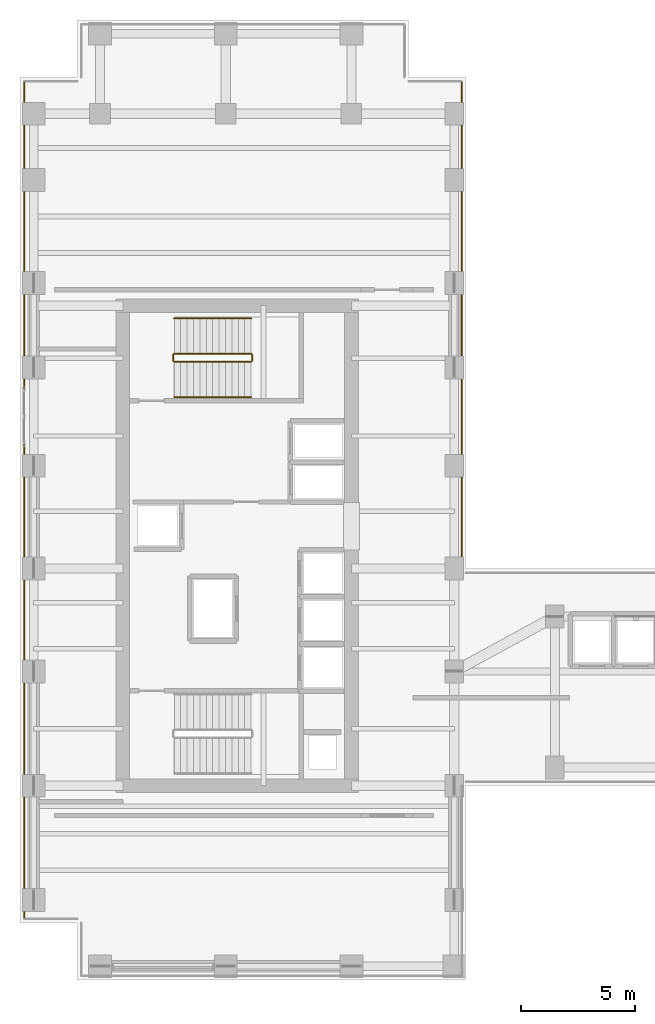
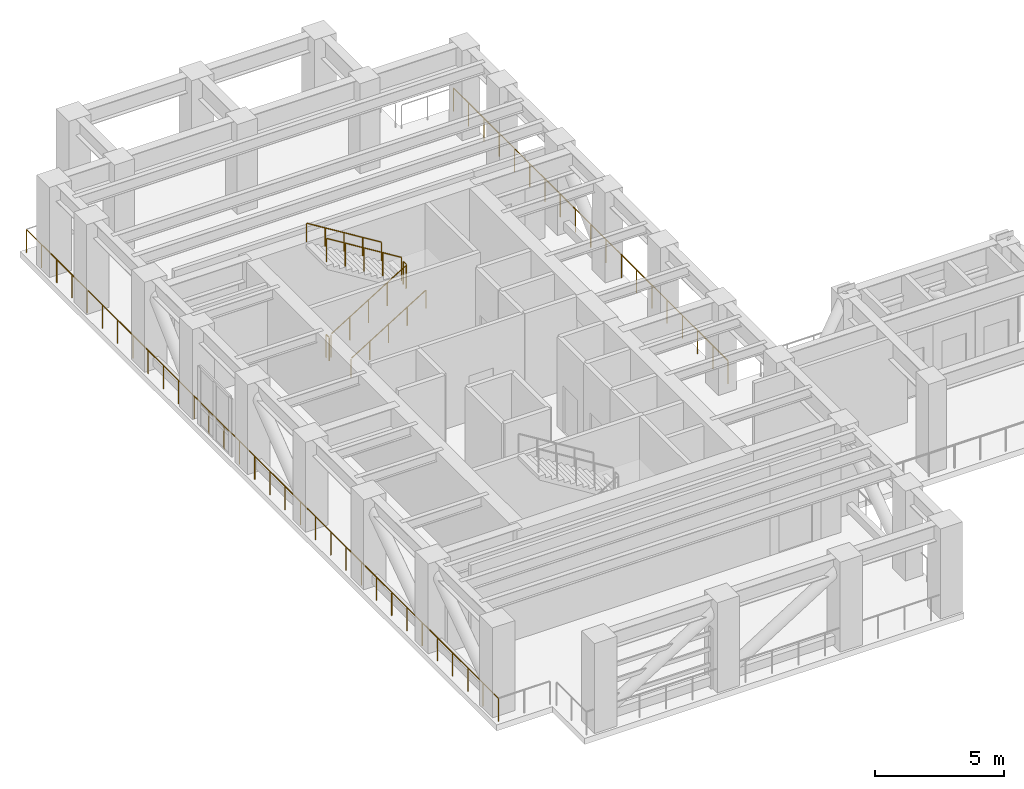
# One storey, part 12 of 14: 8 railings.
"""IFC4 building model written with IfcOpenShell, lengths in metres."""

from ifc_helpers import new_model, si_unit, direction, frame, origin, origin_2d, place, context, subcontext, project, spatial, circle, extrude, source, transform, mapped, material, layer, layer_set, type_object, element, save


model = new_model("IFC4")

# Units and contexts
model_context = context("Model", 3, precision=1e-05, world=origin(), true_north=direction((0.0, 1.0)))
body_context = subcontext(model_context, "Body", "Model", "MODEL_VIEW")
ifc_project = project(units=[si_unit("LENGTHUNIT", "METRE"), si_unit("AREAUNIT", "SQUARE_METRE"), si_unit("VOLUMEUNIT", "CUBIC_METRE"), si_unit("PLANEANGLEUNIT", "RADIAN"), si_unit("MASSUNIT", "GRAM", prefix="KILO")], contexts=[model_context])

# Site, building, storey
site_placement = place(None, origin())
site = spatial("IfcSite", under=ifc_project, at=site_placement, CompositionType="ELEMENT")
building_placement = place(site_placement, origin())
building = spatial("IfcBuilding", under=site, at=building_placement, Name="Kharzan Plaza Tower", CompositionType="ELEMENT")
storey_placement = place(building_placement, frame((0.0, 0.0, 207.89990234375)))
storey = spatial("IfcBuildingStorey", under=building, at=storey_placement, Name="L56", CompositionType="ELEMENT", Elevation=207.89990234375)

# Railings
ifc_material_1 = material(Name="Painted Galvanized Architectural Steel", Category="steel")
ifc_layer_1 = layer(ifc_material_1, 0.074951171875)
ifc_layer_set_1 = layer_set([ifc_layer_1], Name="Painted Galvanized Architectural Steel")
railing_type_1 = type_object("IfcRailingType", Name="RL-GUARD-1120", PredefinedType="BALUSTRADE", material=ifc_layer_set_1)
shared_shape_1 = source(origin(), body_context, "Body", "SweptSolid", [
    extrude(circle(Radius=0.02392578125, at=origin_2d()), frame((0.0224609375, 0.0, 1.10986328125), z_axis=(0.850623216509, 0.0, 0.525775754039), x_axis=(0.0, 1.0, 0.0)), (0.0, 0.0, 1.0), 3.897216796875),
    extrude(circle(Radius=0.02099609375, at=origin_2d()), origin(), (0.0, 0.0, 1.0), 1.072021484375),
    extrude(circle(Radius=0.02099609375, at=origin_2d()), frame((0.840087890625, 0.0, 0.519287109375)), (0.0, 0.0, 1.0), 1.072021484375),
    extrude(circle(Radius=0.02099609375, at=origin_2d()), frame((1.68017578125, 0.0, 1.03857421875)), (0.0, 0.0, 1.0), 1.072021484375),
    extrude(circle(Radius=0.02099609375, at=origin_2d()), frame((2.52001953125, 0.0, 1.5576171875)), (0.0, 0.0, 1.0), 1.072021484375),
    extrude(circle(Radius=0.02099609375, at=origin_2d()), frame((3.360107421875, 0.0, 2.076904296875)), (0.0, 0.0, 1.0), 1.072021484375),
])
railing_1_placement = place(storey_placement, frame((6.75, 27.050048828125, 0.173095703125)))
element("IfcRailing", 1, at=railing_1_placement, inside=storey, type_object=railing_type_1, Name="L56 ST-2 stair guard 1", PredefinedType="BALUSTRADE", context=body_context, shape_type="MappedRepresentation", body=[
    mapped(shared_shape_1, transform((0.0, 0.0, 0.0), x_axis=(1.0, 0.0, 0.0), y_axis=(0.0, 1.0, 0.0), z_axis=(0.0, 0.0, 1.0))),
])
shared_shape_2 = source(origin(), body_context, "Body", "SweptSolid", [
    extrude(circle(Radius=0.02392578125, at=origin_2d()), frame((0.0, 0.0263671875, 1.09619140625), z_axis=(0.0, 1.0, 0.0), x_axis=(-1.0, 0.0, 0.0)), (0.0, 0.0, 1.0), 0.197021484375),
    extrude(circle(Radius=0.02099609375, at=origin_2d()), origin(), (0.0, 0.0, 1.0), 1.072021484375),
    extrude(circle(Radius=0.02099609375, at=origin_2d()), frame((0.0, 0.25, 0.0)), (0.0, 0.0, 1.0), 1.072021484375),
])
for number, where, name in (
    (2, (10.159912109375, 27.10009765625, 2.25), "L56 ST-2 stair guard 2"),
    (3, (6.699951171875, 27.10009765625, 0.0), "L56 ST-2 stair guard 4"),
):
    element("IfcRailing", number, at=place(storey_placement, frame(where)), inside=storey, type_object=railing_type_1, Name=name, PredefinedType="BALUSTRADE", context=body_context, shape_type="MappedRepresentation", body=[
        mapped(shared_shape_2, transform((0.0, 0.0, 0.0), x_axis=(1.0, 0.0, 0.0), y_axis=(0.0, 1.0, 0.0), z_axis=(0.0, 0.0, 1.0))),
    ])
shared_shape_3 = source(origin(), body_context, "Body", "SweptSolid", [
    extrude(circle(Radius=0.02392578125, at=origin_2d()), frame((-0.0224609375, 0.0, 1.10986328125), z_axis=(-0.850623216509, 0.0, 0.525775754039), x_axis=(0.0, -1.0, 0.0)), (0.0, 0.0, 1.0), 3.897216796875),
    extrude(circle(Radius=0.02099609375, at=origin_2d()), origin(), (0.0, 0.0, 1.0), 1.072021484375),
    extrude(circle(Radius=0.02099609375, at=origin_2d()), frame((-0.840087890625, 0.0, 0.519287109375)), (0.0, 0.0, 1.0), 1.072021484375),
    extrude(circle(Radius=0.02099609375, at=origin_2d()), frame((-1.68017578125, 0.0, 1.03857421875)), (0.0, 0.0, 1.0), 1.072021484375),
    extrude(circle(Radius=0.02099609375, at=origin_2d()), frame((-2.52001953125, 0.0, 1.5576171875)), (0.0, 0.0, 1.0), 1.072021484375),
    extrude(circle(Radius=0.02099609375, at=origin_2d()), frame((-3.360107421875, 0.0, 2.076904296875)), (0.0, 0.0, 1.0), 1.072021484375),
])
railing_2_placement = place(storey_placement, frame((10.110107421875, 27.39990234375, 2.423095703125)))
element("IfcRailing", 4, at=railing_2_placement, inside=storey, type_object=railing_type_1, Name="L56 ST-2 stair guard 3", PredefinedType="BALUSTRADE", context=body_context, shape_type="MappedRepresentation", body=[
    mapped(shared_shape_3, transform((0.0, 0.0, 0.0), x_axis=(1.0, 0.0, 0.0), y_axis=(0.0, 1.0, 0.0), z_axis=(0.0, 0.0, 1.0))),
])
ifc_material_2 = material(Name="Brushed Stainless Steel", Category="steel")
ifc_layer_2 = layer(ifc_material_2, 0.050048828125)
ifc_layer_set_2 = layer_set([ifc_layer_2], Name="Brushed Stainless Steel")
railing_type_2 = type_object("IfcRailingType", Name="RL-STAIR-HR920", PredefinedType="HANDRAIL", material=ifc_layer_set_2)
shared_shape_4 = source(origin(), body_context, "Body", "SweptSolid", [
    extrude(circle(Radius=0.02392578125, at=origin_2d()), frame((0.0224609375, 0.0, 0.8896484375), z_axis=(0.850623216509, 0.0, 0.525775754039), x_axis=(0.0, 1.0, 0.0)), (0.0, 0.0, 1.0), 3.897216796875),
    extrude(circle(Radius=0.02099609375, at=origin_2d()), origin(), (0.0, 0.0, 1.0), 0.851806640625),
    extrude(circle(Radius=0.02099609375, at=origin_2d()), frame((0.840087890625, 0.0, 0.519287109375)), (0.0, 0.0, 1.0), 0.851806640625),
    extrude(circle(Radius=0.02099609375, at=origin_2d()), frame((1.68017578125, 0.0, 1.03857421875)), (0.0, 0.0, 1.0), 0.851806640625),
    extrude(circle(Radius=0.02099609375, at=origin_2d()), frame((2.52001953125, 0.0, 1.5576171875)), (0.0, 0.0, 1.0), 0.851806640625),
    extrude(circle(Radius=0.02099609375, at=origin_2d()), frame((3.360107421875, 0.0, 2.076904296875)), (0.0, 0.0, 1.0), 0.851806640625),
])
railing_3_placement = place(storey_placement, frame((6.75, 25.5, 0.173095703125)))
element("IfcRailing", 5, at=railing_3_placement, inside=storey, type_object=railing_type_2, Name="L56 ST-2 stair handrail 1", PredefinedType="HANDRAIL", context=body_context, shape_type="MappedRepresentation", body=[
    mapped(shared_shape_4, transform((0.0, 0.0, 0.0), x_axis=(1.0, 0.0, 0.0), y_axis=(0.0, 1.0, 0.0), z_axis=(0.0, 0.0, 1.0))),
])
shared_shape_5 = source(origin(), body_context, "Body", "SweptSolid", [
    extrude(circle(Radius=0.02392578125, at=origin_2d()), frame((-0.0224609375, 0.0, 0.8896484375), z_axis=(-0.850623216509, 0.0, 0.525775754039), x_axis=(0.0, -1.0, 0.0)), (0.0, 0.0, 1.0), 3.897216796875),
    extrude(circle(Radius=0.02099609375, at=origin_2d()), origin(), (0.0, 0.0, 1.0), 0.851806640625),
    extrude(circle(Radius=0.02099609375, at=origin_2d()), frame((-0.840087890625, 0.0, 0.519287109375)), (0.0, 0.0, 1.0), 0.851806640625),
    extrude(circle(Radius=0.02099609375, at=origin_2d()), frame((-1.68017578125, 0.0, 1.03857421875)), (0.0, 0.0, 1.0), 0.851806640625),
    extrude(circle(Radius=0.02099609375, at=origin_2d()), frame((-2.52001953125, 0.0, 1.5576171875)), (0.0, 0.0, 1.0), 0.851806640625),
    extrude(circle(Radius=0.02099609375, at=origin_2d()), frame((-3.360107421875, 0.0, 2.076904296875)), (0.0, 0.0, 1.0), 0.851806640625),
])
railing_4_placement = place(storey_placement, frame((10.110107421875, 28.949951171875, 2.423095703125)))
element("IfcRailing", 6, at=railing_4_placement, inside=storey, type_object=railing_type_2, Name="L56 ST-2 stair handrail 2", PredefinedType="HANDRAIL", context=body_context, shape_type="MappedRepresentation", body=[
    mapped(shared_shape_5, transform((0.0, 0.0, 0.0), x_axis=(1.0, 0.0, 0.0), y_axis=(0.0, 1.0, 0.0), z_axis=(0.0, 0.0, 1.0))),
])
shared_shape_6 = source(origin(), body_context, "Body", "SweptSolid", [
    extrude(circle(Radius=0.02392578125, at=origin_2d()), frame((0.0, -0.0263671875, 1.09619140625), z_axis=(0.0, -1.0, 0.0), x_axis=(1.0, 0.0, 0.0)), (0.0, 0.0, 1.0), 21.26708984375),
    extrude(circle(Radius=0.02099609375, at=origin_2d()), origin(), (0.0, 0.0, 1.0), 1.072021484375),
    extrude(circle(Radius=0.02099609375, at=origin_2d()), frame((0.0, -1.1845703125, 0.0)), (0.0, 0.0, 1.0), 1.072021484375),
    extrude(circle(Radius=0.02099609375, at=origin_2d()), frame((0.0, -2.368896484375, 0.0)), (0.0, 0.0, 1.0), 1.072021484375),
    extrude(circle(Radius=0.02099609375, at=origin_2d()), frame((0.0, -3.55322265625, 0.0)), (0.0, 0.0, 1.0), 1.072021484375),
    extrude(circle(Radius=0.02099609375, at=origin_2d()), frame((0.0, -4.73779296875, 0.0)), (0.0, 0.0, 1.0), 1.072021484375),
    extrude(circle(Radius=0.02099609375, at=origin_2d()), frame((0.0, -5.92236328125, 0.0)), (0.0, 0.0, 1.0), 1.072021484375),
    extrude(circle(Radius=0.02099609375, at=origin_2d()), frame((0.0, -7.106689453125, 0.0)), (0.0, 0.0, 1.0), 1.072021484375),
    extrude(circle(Radius=0.02099609375, at=origin_2d()), frame((0.0, -8.291015625, 0.0)), (0.0, 0.0, 1.0), 1.072021484375),
    extrude(circle(Radius=0.02099609375, at=origin_2d()), frame((0.0, -9.4755859375, 0.0)), (0.0, 0.0, 1.0), 1.072021484375),
    extrude(circle(Radius=0.02099609375, at=origin_2d()), frame((0.0, -10.66015625, 0.0)), (0.0, 0.0, 1.0), 1.072021484375),
    extrude(circle(Radius=0.02099609375, at=origin_2d()), frame((0.0, -11.844482421875, 0.0)), (0.0, 0.0, 1.0), 1.072021484375),
    extrude(circle(Radius=0.02099609375, at=origin_2d()), frame((0.0, -13.029052734375, 0.0)), (0.0, 0.0, 1.0), 1.072021484375),
    extrude(circle(Radius=0.02099609375, at=origin_2d()), frame((0.0, -14.21337890625, 0.0)), (0.0, 0.0, 1.0), 1.072021484375),
    extrude(circle(Radius=0.02099609375, at=origin_2d()), frame((0.0, -15.39794921875, 0.0)), (0.0, 0.0, 1.0), 1.072021484375),
    extrude(circle(Radius=0.02099609375, at=origin_2d()), frame((0.0, -16.582275390625, 0.0)), (0.0, 0.0, 1.0), 1.072021484375),
    extrude(circle(Radius=0.02099609375, at=origin_2d()), frame((0.0, -17.7666015625, 0.0)), (0.0, 0.0, 1.0), 1.072021484375),
    extrude(circle(Radius=0.02099609375, at=origin_2d()), frame((0.0, -18.951171875, 0.0)), (0.0, 0.0, 1.0), 1.072021484375),
    extrude(circle(Radius=0.02099609375, at=origin_2d()), frame((0.0, -20.1357421875, 0.0)), (0.0, 0.0, 1.0), 1.072021484375),
    extrude(circle(Radius=0.02099609375, at=origin_2d()), frame((0.0, -21.320068359375, 0.0)), (0.0, 0.0, 1.0), 1.072021484375),
])
railing_5_placement = place(storey_placement, frame((19.320068359375, 39.320068359375, 0.0)))
element("IfcRailing", 7, at=railing_5_placement, inside=storey, type_object=railing_type_1, Name="L56 Open Refuge Floor Perimeter Guard 132", PredefinedType="BALUSTRADE", context=body_context, shape_type="MappedRepresentation", body=[
    mapped(shared_shape_6, transform((0.0, 0.0, 0.0), x_axis=(1.0, 0.0, 0.0), y_axis=(0.0, 1.0, 0.0), z_axis=(0.0, 0.0, 1.0))),
])
shared_shape_7 = source(origin(), body_context, "Body", "SweptSolid", [
    extrude(circle(Radius=0.02392578125, at=origin_2d()), frame((0.0, 0.0263671875, 1.09619140625), z_axis=(0.0, 1.0, 0.0), x_axis=(-1.0, 0.0, 0.0)), (0.0, 0.0, 1.0), 36.587158203125),
    extrude(circle(Radius=0.02099609375, at=origin_2d()), origin(), (0.0, 0.0, 1.0), 1.072021484375),
    extrude(circle(Radius=0.02099609375, at=origin_2d()), frame((0.0, 1.181884765625, 0.0)), (0.0, 0.0, 1.0), 1.072021484375),
    extrude(circle(Radius=0.02099609375, at=origin_2d()), frame((0.0, 2.36376953125, 0.0)), (0.0, 0.0, 1.0), 1.072021484375),
    extrude(circle(Radius=0.02099609375, at=origin_2d()), frame((0.0, 3.5458984375, 0.0)), (0.0, 0.0, 1.0), 1.072021484375),
    extrude(circle(Radius=0.02099609375, at=origin_2d()), frame((0.0, 4.727783203125, 0.0)), (0.0, 0.0, 1.0), 1.072021484375),
    extrude(circle(Radius=0.02099609375, at=origin_2d()), frame((0.0, 5.90966796875, 0.0)), (0.0, 0.0, 1.0), 1.072021484375),
    extrude(circle(Radius=0.02099609375, at=origin_2d()), frame((0.0, 7.091552734375, 0.0)), (0.0, 0.0, 1.0), 1.072021484375),
    extrude(circle(Radius=0.02099609375, at=origin_2d()), frame((0.0, 8.273681640625, 0.0)), (0.0, 0.0, 1.0), 1.072021484375),
    extrude(circle(Radius=0.02099609375, at=origin_2d()), frame((0.0, 9.45556640625, 0.0)), (0.0, 0.0, 1.0), 1.072021484375),
    extrude(circle(Radius=0.02099609375, at=origin_2d()), frame((0.0, 10.637451171875, 0.0)), (0.0, 0.0, 1.0), 1.072021484375),
    extrude(circle(Radius=0.02099609375, at=origin_2d()), frame((0.0, 11.8193359375, 0.0)), (0.0, 0.0, 1.0), 1.072021484375),
    extrude(circle(Radius=0.02099609375, at=origin_2d()), frame((0.0, 13.001220703125, 0.0)), (0.0, 0.0, 1.0), 1.072021484375),
    extrude(circle(Radius=0.02099609375, at=origin_2d()), frame((0.0, 14.183349609375, 0.0)), (0.0, 0.0, 1.0), 1.072021484375),
    extrude(circle(Radius=0.02099609375, at=origin_2d()), frame((0.0, 15.365234375, 0.0)), (0.0, 0.0, 1.0), 1.072021484375),
    extrude(circle(Radius=0.02099609375, at=origin_2d()), frame((0.0, 16.547119140625, 0.0)), (0.0, 0.0, 1.0), 1.072021484375),
    extrude(circle(Radius=0.02099609375, at=origin_2d()), frame((0.0, 17.72900390625, 0.0)), (0.0, 0.0, 1.0), 1.072021484375),
    extrude(circle(Radius=0.02099609375, at=origin_2d()), frame((0.0, 18.9111328125, 0.0)), (0.0, 0.0, 1.0), 1.072021484375),
    extrude(circle(Radius=0.02099609375, at=origin_2d()), frame((0.0, 20.093017578125, 0.0)), (0.0, 0.0, 1.0), 1.072021484375),
    extrude(circle(Radius=0.02099609375, at=origin_2d()), frame((0.0, 21.27490234375, 0.0)), (0.0, 0.0, 1.0), 1.072021484375),
    extrude(circle(Radius=0.02099609375, at=origin_2d()), frame((0.0, 22.456787109375, 0.0)), (0.0, 0.0, 1.0), 1.072021484375),
    extrude(circle(Radius=0.02099609375, at=origin_2d()), frame((0.0, 23.638916015625, 0.0)), (0.0, 0.0, 1.0), 1.072021484375),
    extrude(circle(Radius=0.02099609375, at=origin_2d()), frame((0.0, 24.82080078125, 0.0)), (0.0, 0.0, 1.0), 1.072021484375),
    extrude(circle(Radius=0.02099609375, at=origin_2d()), frame((0.0, 26.002685546875, 0.0)), (0.0, 0.0, 1.0), 1.072021484375),
    extrude(circle(Radius=0.02099609375, at=origin_2d()), frame((0.0, 27.1845703125, 0.0)), (0.0, 0.0, 1.0), 1.072021484375),
    extrude(circle(Radius=0.02099609375, at=origin_2d()), frame((0.0, 28.366455078125, 0.0)), (0.0, 0.0, 1.0), 1.072021484375),
    extrude(circle(Radius=0.02099609375, at=origin_2d()), frame((0.0, 29.548583984375, 0.0)), (0.0, 0.0, 1.0), 1.072021484375),
    extrude(circle(Radius=0.02099609375, at=origin_2d()), frame((0.0, 30.73046875, 0.0)), (0.0, 0.0, 1.0), 1.072021484375),
    extrude(circle(Radius=0.02099609375, at=origin_2d()), frame((0.0, 31.912353515625, 0.0)), (0.0, 0.0, 1.0), 1.072021484375),
    extrude(circle(Radius=0.02099609375, at=origin_2d()), frame((0.0, 33.09423828125, 0.0)), (0.0, 0.0, 1.0), 1.072021484375),
    extrude(circle(Radius=0.02099609375, at=origin_2d()), frame((0.0, 34.2763671875, 0.0)), (0.0, 0.0, 1.0), 1.072021484375),
    extrude(circle(Radius=0.02099609375, at=origin_2d()), frame((0.0, 35.458251953125, 0.0)), (0.0, 0.0, 1.0), 1.072021484375),
    extrude(circle(Radius=0.02099609375, at=origin_2d()), frame((0.0, 36.64013671875, 0.0)), (0.0, 0.0, 1.0), 1.072021484375),
])
railing_6_placement = place(storey_placement, frame((0.179931640625, 2.679931640625, 0.0)))
element("IfcRailing", 8, at=railing_6_placement, inside=storey, type_object=railing_type_1, Name="L56 Open Refuge Floor Perimeter Guard 94", PredefinedType="BALUSTRADE", context=body_context, shape_type="MappedRepresentation", body=[
    mapped(shared_shape_7, transform((0.0, 0.0, 0.0), x_axis=(1.0, 0.0, 0.0), y_axis=(0.0, 1.0, 0.0), z_axis=(0.0, 0.0, 1.0))),
])

save(model, "model.ifc")
